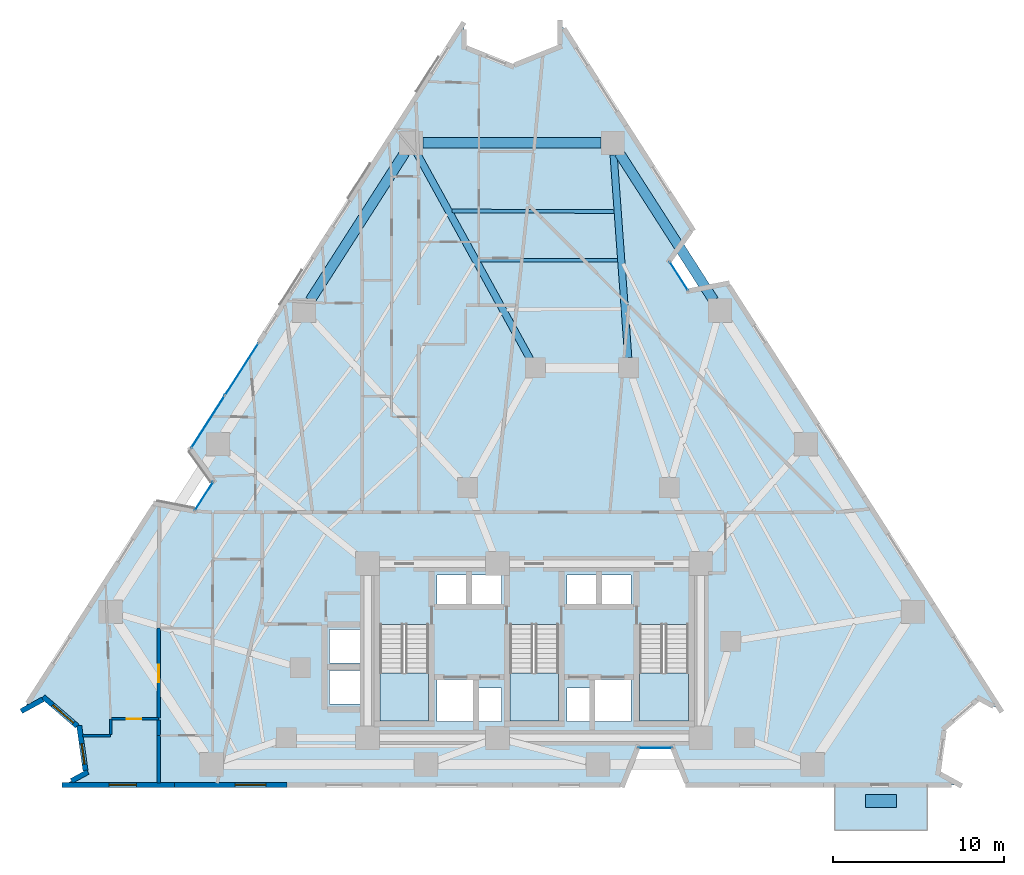
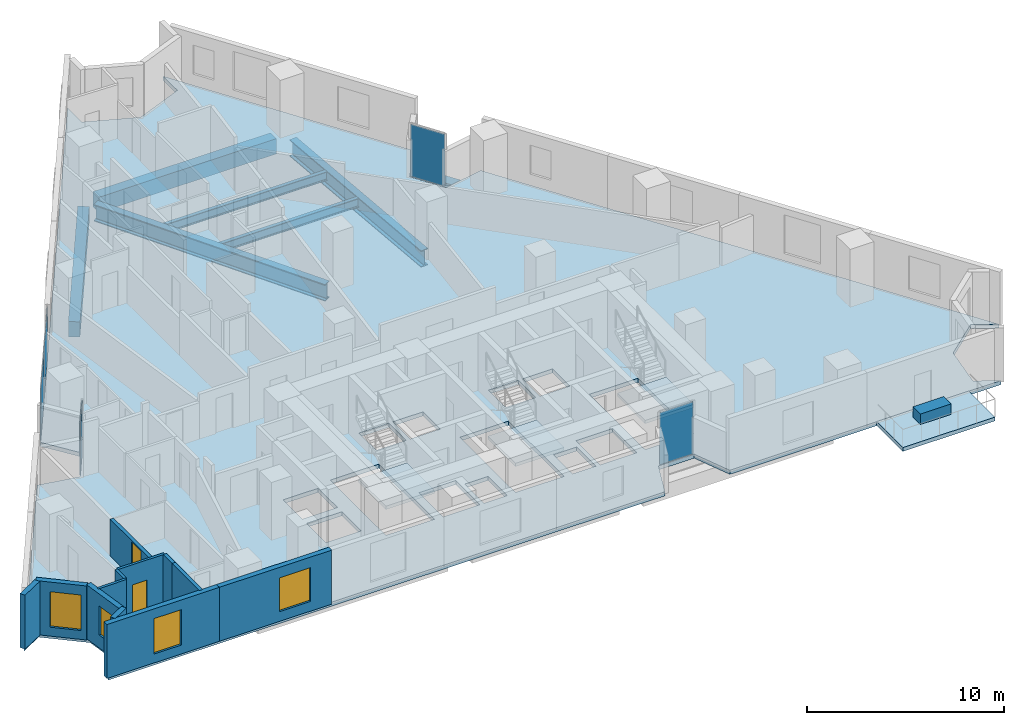
# One storey, part 5 of 13: 12 walls, 7 beams, 6 plates, 5 slabs, 4 windows, 2 doors, 6 openings, 7 elements without a shape of their own.
"""IFC4 building model written with IfcOpenShell, lengths in metres."""

import ifcopenshell
import ifcopenshell.guid

model = None  # the IFC model being written
_history = None  # IfcOwnerHistory: only IFC2X3 demands one
_inside = {}  # id of a spatial element -> (the spatial element, [elements in it])
_under = {}  # id of a project, library or spatial element -> (it, [spatial elements below it])
_declared = {}  # id of a project -> (the project, [libraries it declares])
_typed = {}  # id of a type object -> (the type object, [elements of that type])
_made_of = {}  # id of a material, layer set ... -> (it, [elements and type objects made of it])


def new_model(schema):
    """Start an empty IFC model of exactly this schema.

    Asked for "IFC4X3", IfcOpenShell would pick the latest addendum, in which some entities
    have other attributes; the version numbers below select the first issue.
    IFC2X3 requires an IfcOwnerHistory on every rooted entity: one is made here for all.
    """
    global model, _history
    if schema == "IFC4X3":
        model = ifcopenshell.file(schema_version=(4, 3, 0, 0))
    else:
        model = ifcopenshell.file(schema=schema)
    _inside.clear()
    _under.clear()
    _declared.clear()
    _typed.clear()
    _made_of.clear()
    _history = None
    if model.schema == "IFC2X3":
        org = make("IfcOrganization", Name="unknown")
        user = make(
            "IfcPersonAndOrganization",
            ThePerson=make("IfcPerson", FamilyName="unknown"),
            TheOrganization=org,
        )
        app = make(
            "IfcApplication",
            ApplicationDeveloper=org,
            Version="unknown",
            ApplicationFullName="unknown",
            ApplicationIdentifier="unknown",
        )
        _history = make(
            "IfcOwnerHistory",
            OwningUser=user,
            OwningApplication=app,
            ChangeAction="ADDED",
            CreationDate=0,
        )
    return model


def make(cls, **values):
    """One entity of the class cls with the attributes given. An attribute that is None is left unset."""
    return model.create_entity(
        cls, **{name: value for name, value in values.items() if value is not None}
    )


def rooted(cls, **values):
    """An entity with a GlobalId (a new one), such as an element, a storey or a relation."""
    return make(cls, GlobalId=ifcopenshell.guid.new(), OwnerHistory=_history, **values)


def si_unit(unit_type, name, prefix=None):
    """IfcSIUnit, for example si_unit("LENGTHUNIT", "METRE", prefix="MILLI")."""
    return make("IfcSIUnit", UnitType=unit_type, Prefix=prefix, Name=name)


def assignment(units):
    """IfcUnitAssignment: the units of a project."""
    return None if units is None else make("IfcUnitAssignment", Units=units)


def point(xyz):
    """IfcCartesianPoint."""
    return None if xyz is None else make("IfcCartesianPoint", Coordinates=xyz)


def direction(xyz):
    """IfcDirection."""
    return None if xyz is None else make("IfcDirection", DirectionRatios=xyz)


def frame(location, z_axis=None, x_axis=None):
    """IfcAxis2Placement3D, a coordinate frame: its origin and axes. An axis left out is left unset."""
    return make(
        "IfcAxis2Placement3D",
        Location=point(location),
        Axis=direction(z_axis),
        RefDirection=direction(x_axis),
    )


def frame_2d(location, x_axis=None):
    """IfcAxis2Placement2D, a coordinate frame in the plane: its origin and x axis."""
    return make(
        "IfcAxis2Placement2D", Location=point(location), RefDirection=direction(x_axis)
    )


def origin():
    """The frame at (0, 0, 0) with its axes left unset."""
    return frame((0.0, 0.0, 0.0))


def origin_2d():
    """The frame at (0, 0) in the plane with its x axis left unset."""
    return frame_2d((0.0, 0.0))


def place(relative_to, where):
    """IfcLocalPlacement: puts the frame where relative to a parent placement (None: the world)."""
    return make(
        "IfcLocalPlacement", PlacementRelTo=relative_to, RelativePlacement=where
    )


def context(
    kind, dimensions, precision=None, world=None, true_north=None, identifier=None
):
    """IfcGeometricRepresentationContext, for example the 3D "Model" context."""
    return make(
        "IfcGeometricRepresentationContext",
        ContextIdentifier=identifier,
        ContextType=kind,
        CoordinateSpaceDimension=dimensions,
        Precision=precision,
        WorldCoordinateSystem=world,
        TrueNorth=true_north,
    )


def subcontext(parent, identifier, kind, view, scale=None):
    """IfcGeometricRepresentationSubContext, for example "Body" below "Model"."""
    return make(
        "IfcGeometricRepresentationSubContext",
        ContextIdentifier=identifier,
        ContextType=kind,
        ParentContext=parent,
        TargetScale=scale,
        TargetView=view,
    )


def project(units=None, contexts=None):
    """IfcProject with its units and contexts."""
    return rooted(
        "IfcProject",
        Name="project",
        RepresentationContexts=contexts,
        UnitsInContext=assignment(units),
    )


def spatial(cls, under=None, at=None, **own):
    """A site, building, storey or space (cls), placed at a placement, below another one or the project."""
    s = rooted(cls, ObjectPlacement=at, **own)
    if under is not None:
        _under.setdefault(under.id(), (under, []))[1].append(s)
    return s


def polyline(points):
    """IfcPolyline through the points."""
    return make("IfcPolyline", Points=[point(p) for p in points])


def profile(cls, at=None, kind="AREA", **sizes):
    """A parametric profile (cls). Its sizes go by their IFC names, for example OverallWidth=200.0."""
    return make(cls, ProfileType=kind, Position=at, **sizes)


def rectangle(**sizes):
    """IfcRectangleProfileDef."""
    return profile("IfcRectangleProfileDef", **sizes)


def i_section(**sizes):
    """IfcIShapeProfileDef."""
    return profile("IfcIShapeProfileDef", **sizes)


def outline(outer, holes=None, kind="AREA"):
    """IfcArbitraryClosedProfileDef: a profile drawn as a closed curve; with holes, ...WithVoids."""
    if holes is None:
        return make("IfcArbitraryClosedProfileDef", ProfileType=kind, OuterCurve=outer)
    return make(
        "IfcArbitraryProfileDefWithVoids",
        ProfileType=kind,
        OuterCurve=outer,
        InnerCurves=holes,
    )


def extrude(swept, where, along, depth):
    """IfcExtrudedAreaSolid: the profile swept, set in the frame where, extruded along a direction by depth."""
    return make(
        "IfcExtrudedAreaSolid",
        SweptArea=swept,
        Position=where,
        ExtrudedDirection=direction(along),
        Depth=depth,
    )


def shape(context_of_items, identifier, shape_type, items):
    """IfcShapeRepresentation: the items that make up one representation, for example the "Body"."""
    return make(
        "IfcShapeRepresentation",
        ContextOfItems=context_of_items,
        RepresentationIdentifier=identifier,
        RepresentationType=shape_type,
        Items=items,
    )


def material(Name=None, Category=None):
    """IfcMaterial."""
    return make("IfcMaterial", Name=Name, Category=Category)


def layer(
    of_material, thickness, ventilated=None, Name=None, Category=None, Priority=None
):
    """IfcMaterialLayer: one layer of a wall or slab, of a material (None: an air gap)."""
    return make(
        "IfcMaterialLayer",
        Material=of_material,
        LayerThickness=thickness,
        IsVentilated=ventilated,
        Name=Name,
        Category=Category,
        Priority=Priority,
    )


def layer_set(layers, Name=None):
    """IfcMaterialLayerSet."""
    return make("IfcMaterialLayerSet", MaterialLayers=layers, LayerSetName=Name)


def material_profile(
    of_material, cross_section, Name=None, Category=None, Priority=None
):
    """IfcMaterialProfile: a cross section and its material."""
    return make(
        "IfcMaterialProfile",
        Name=Name,
        Material=of_material,
        Profile=cross_section,
        Priority=Priority,
        Category=Category,
    )


def profile_set(profiles, Name=None, composite=None):
    """IfcMaterialProfileSet."""
    return make(
        "IfcMaterialProfileSet",
        Name=Name,
        MaterialProfiles=profiles,
        CompositeProfile=composite,
    )


def made_of(thing, what):
    """Note that an element or type object is made of a material, layer set ...; save() writes the relation."""
    if what is not None:
        _made_of.setdefault(what.id(), (what, []))[1].append(thing)
    return thing


def type_object(cls, material=None, **own):
    """A type object (cls), such as IfcWallType, which elements share."""
    return made_of(rooted(cls, **own), material)


def element(
    cls,
    number,
    at=None,
    inside=None,
    cuts=None,
    type_object=None,
    material=None,
    context=None,
    identifier="Body",
    shape_type=None,
    held_by="IfcProductDefinitionShape",
    body=None,
    shapes=None,
    **own,
):
    """One element of the class cls, such as IfcWall. Its Tag is "e" and its number.

    at: its placement. inside: the storey or other place that contains it. cuts: it is an
    opening in that element (IfcRelVoidsElement). A single representation is given by context,
    identifier, shape_type and body (its items); several are given by shapes. held_by: the class
    of the entity that holds the representations. save() writes the other relations.
    """
    e = rooted(cls, Tag="e%d" % number, ObjectPlacement=at, **own)
    if body is not None:
        shapes = [shape(context, identifier, shape_type, body)]
    if shapes is not None:
        e.Representation = make(held_by, Representations=shapes)
    if inside is not None:
        _inside.setdefault(inside.id(), (inside, []))[1].append(e)
    if cuts is not None:
        rooted(
            "IfcRelVoidsElement", RelatingBuildingElement=cuts, RelatedOpeningElement=e
        )
    if type_object is not None:
        _typed.setdefault(type_object.id(), (type_object, []))[1].append(e)
    return made_of(e, material)


def fill(opening, filler):
    """IfcRelFillsElement: the door or window that sits in an opening."""
    return rooted(
        "IfcRelFillsElement",
        RelatingOpeningElement=opening,
        RelatedBuildingElement=filler,
    )


def aggregate(whole, parts):
    """IfcRelAggregates: a whole, such as a stair, and the parts it consists of."""
    return rooted("IfcRelAggregates", RelatingObject=whole, RelatedObjects=parts)


def save(model, path):
    """Write the relations noted so far, then the file.

    IfcRelAggregates (storeys below a building ...), IfcRelContainedInSpatialStructure (elements
    in a storey), IfcRelDefinesByType, IfcRelAssociatesMaterial and IfcRelDeclares: one each for
    every whole, place, type object, material and project.
    """
    for whole, parts in _under.values():
        aggregate(whole, parts)
    for where, things in _inside.values():
        rooted(
            "IfcRelContainedInSpatialStructure",
            RelatedElements=things,
            RelatingStructure=where,
        )
    for kind, things in _typed.values():
        rooted("IfcRelDefinesByType", RelatedObjects=things, RelatingType=kind)
    for what, things in _made_of.values():
        rooted("IfcRelAssociatesMaterial", RelatedObjects=things, RelatingMaterial=what)
    for by, libraries in _declared.values():
        rooted("IfcRelDeclares", RelatingContext=by, RelatedDefinitions=libraries)
    model.write(path)


model = new_model("IFC4")

# Units and contexts
model_context = context("Model", 3, precision=1e-05, world=origin(), true_north=direction((0.0, 1.0)))
body_context = subcontext(model_context, "Body", "Model", "MODEL_VIEW")
ifc_project = project(units=[si_unit("LENGTHUNIT", "METRE"), si_unit("AREAUNIT", "SQUARE_METRE"), si_unit("VOLUMEUNIT", "CUBIC_METRE"), si_unit("PLANEANGLEUNIT", "RADIAN"), si_unit("MASSUNIT", "GRAM", prefix="KILO")], contexts=[model_context])

# Site, building, storey
site_placement = place(None, origin())
site = spatial("IfcSite", under=ifc_project, at=site_placement, CompositionType="ELEMENT")
building_placement = place(site_placement, origin())
building = spatial("IfcBuilding", under=site, at=building_placement, Name="Almagre Mirador Tower", CompositionType="ELEMENT")
storey_placement = place(building_placement, frame((0.0, 0.0, 42.60009765625)))
storey = spatial("IfcBuildingStorey", under=building, at=storey_placement, Name="L09", CompositionType="ELEMENT", Elevation=42.60009765625)

# Beams
ifc_material_1 = material(Name="Steel ASTM A992 Grade 50", Category="steel")
ifc_material_profile_1 = material_profile(ifc_material_1, i_section(OverallWidth=0.214111328125, OverallDepth=0.549072265625, WebThickness=0.0146484375, FlangeThickness=0.023681640625, FilletRadius=0.01806640625, at=origin_2d()), Name="W21X93")
ifc_profile_set_1 = profile_set([ifc_material_profile_1], Name="Steel ASTM A992 Grade 50")
beam_type_1 = type_object("IfcBeamType", Name="BM-JST-W21X93", PredefinedType="JOIST", material=ifc_profile_set_1)
beam_1_placement = place(storey_placement, frame((41.979248046875, 35.350341796875, -0.524658203125), z_axis=(-0.999991504181, 0.004122082717, 0.0), x_axis=(-0.004122082717, -0.999991504181, 0.0)))
element("IfcBeam", 1, at=beam_1_placement, inside=storey, type_object=beam_type_1, Name="L09 secondary floor joist PC08-PC09.1", PredefinedType="JOIST", context=body_context, shape_type="SweptSolid", body=[
    extrude(i_section(OverallWidth=0.214111328125, OverallDepth=0.549072265625, WebThickness=0.0146484375, FlangeThickness=0.023681640625, FilletRadius=0.01806640625, at=origin_2d()), origin(), (0.0, 0.0, 1.0), 9.476318359375),
])
beam_2_placement = place(storey_placement, frame((42.185302734375, 32.4990234375, -0.524658203125), z_axis=(-0.999999934481, 0.000361990927, 0.0), x_axis=(-0.000361990927, -0.999999934481, 0.0)))
element("IfcBeam", 2, at=beam_2_placement, inside=storey, type_object=beam_type_1, Name="L09 secondary floor joist PC08-PC09.2", PredefinedType="JOIST", context=body_context, shape_type="SweptSolid", body=[
    extrude(i_section(OverallWidth=0.214111328125, OverallDepth=0.549072265625, WebThickness=0.0146484375, FlangeThickness=0.023681640625, FilletRadius=0.01806640625, at=origin_2d()), origin(), (0.0, 0.0, 1.0), 8.09326171875),
])
ifc_material_2 = material(Name="Precast concrete C50/60", Category="concrete")
ifc_material_profile_2 = material_profile(ifc_material_2, rectangle(XDim=0.60009765625, YDim=0.949951171875, at=origin_2d()), Name="RC600X950")
ifc_profile_set_2 = profile_set([ifc_material_profile_2], Name="Precast concrete C50/60")
beam_type_2 = type_object("IfcBeamType", Name="BM-SPN-RC600X950", PredefinedType="SPANDREL", material=ifc_profile_set_2)
beam_3_placement = place(storey_placement, frame((47.80029296875, 30.162353515625, -0.72509765625), z_axis=(-0.539538717329, 0.841960790359, 0.0), x_axis=(-0.841960790359, -0.539538717329, 0.0)))
element("IfcBeam", 3, at=beam_3_placement, inside=storey, type_object=beam_type_2, Name="L09 perimeter spandrel beam PC07-PC08", PredefinedType="SPANDREL", context=body_context, shape_type="SweptSolid", body=[
    extrude(rectangle(XDim=0.60009765625, YDim=0.949951171875, at=origin_2d()), origin(), (0.0, 0.0, 1.0), 10.239501953125),
])
beam_4_placement = place(storey_placement, frame((41.197998046875, 39.373046875, -0.72509765625), z_axis=(-1.0, 0.0, 0.0), x_axis=(0.0, -1.0, 0.0)))
element("IfcBeam", 4, at=beam_4_placement, inside=storey, type_object=beam_type_2, Name="L09 perimeter spandrel beam PC08-PC09", PredefinedType="SPANDREL", context=body_context, shape_type="SweptSolid", body=[
    extrude(rectangle(XDim=0.60009765625, YDim=0.949951171875, at=origin_2d()), origin(), (0.0, 0.0, 1.0), 10.39599609375),
])
beam_5_placement = place(storey_placement, frame((29.724365234375, 38.78369140625, -0.72509765625), z_axis=(-0.539538717329, -0.841960790359, 0.0), x_axis=(0.841960790359, -0.539538717329, 0.0)))
element("IfcBeam", 5, at=beam_5_placement, inside=storey, type_object=beam_type_2, Name="L09 perimeter spandrel beam PC09-PC10", PredefinedType="SPANDREL", context=body_context, shape_type="SweptSolid", body=[
    extrude(rectangle(XDim=0.60009765625, YDim=0.949951171875, at=origin_2d()), origin(), (0.0, 0.0, 1.0), 10.239501953125),
])
ifc_material_3 = material(Name="Steel ASTM A913 Grade 65", Category="steel")
ifc_material_profile_3 = material_profile(ifc_material_3, i_section(OverallWidth=0.4189453125, OverallDepth=1.041015625, WebThickness=0.031005859375, FlangeThickness=0.055908203125, FilletRadius=0.030029296875, at=origin_2d()), Name="W40X397")
ifc_profile_set_3 = profile_set([ifc_material_profile_3], Name="Steel ASTM A913 Grade 65")
beam_type_3 = type_object("IfcBeamType", Name="BM-STL-W40X397", PredefinedType="BEAM", material=ifc_profile_set_3)
beam_6_placement = place(storey_placement, frame((41.948486328125, 38.6748046875, -0.7705078125), z_axis=(0.072089216544, -0.997398187715, 0.0), x_axis=(0.997398187715, 0.072089216544, 0.0)))
element("IfcBeam", 6, at=beam_6_placement, inside=storey, type_object=beam_type_3, Name="L09 radial floor girder PC08-MC6", PredefinedType="BEAM", context=body_context, shape_type="SweptSolid", body=[
    extrude(i_section(OverallWidth=0.4189453125, OverallDepth=1.041015625, WebThickness=0.031005859375, FlangeThickness=0.055908203125, FilletRadius=0.030029296875, at=origin_2d()), origin(), (0.0, 0.0, 1.0), 11.907470703125),
])
beam_7_placement = place(storey_placement, frame((30.439453125, 38.759765625, -0.7705078125), z_axis=(0.482060666066, -0.876137839745, 0.0), x_axis=(0.876137839745, 0.482060666066, 0.0)))
element("IfcBeam", 7, at=beam_7_placement, inside=storey, type_object=beam_type_3, Name="L09 radial floor girder PC09-MC7", PredefinedType="BEAM", context=body_context, shape_type="SweptSolid", body=[
    extrude(i_section(OverallWidth=0.4189453125, OverallDepth=1.041015625, WebThickness=0.031005859375, FlangeThickness=0.055908203125, FilletRadius=0.030029296875, at=origin_2d()), origin(), (0.0, 0.0, 1.0), 13.735595703125),
])

# Curtain wall, plate
ifc_material_4 = material(Name="Black anodized aluminium", Category="aluminium")
ifc_layer_1 = layer(ifc_material_4, 0.169921875)
ifc_layer_set_1 = layer_set([ifc_layer_1], Name="Black anodized aluminium")
curtain_wall_type_1 = type_object("IfcCurtainWallType", Name="CW-CRS-SYS", PredefinedType="NOTDEFINED", material=ifc_layer_set_1)
curtain_wall_1_placement = place(storey_placement, origin())
curtain_wall_1 = element("IfcCurtainWall", 8, at=curtain_wall_1_placement, inside=storey, type_object=curtain_wall_type_1, Name="L09 vertical crease curtain wall 01", PredefinedType="NOTDEFINED")
ifc_material_5 = material(Name="Dark solar-control laminated hurricane glass", Category="glass")
ifc_layer_2 = layer(ifc_material_5, 0.028076171875)
ifc_layer_set_2 = layer_set([ifc_layer_2], Name="Dark solar-control laminated hurricane glass")
plate_type_1 = type_object("IfcPlateType", Name="PLT-GLZ-28", PredefinedType="CURTAIN_PANEL", material=ifc_layer_set_2)
plate_1_placement = place(storey_placement, frame((17.98388671875, 18.700927734375, 0.059814453125), z_axis=(0.0, 0.0, 1.0), x_axis=(0.539596564827, 0.841923718176, 0.0)))
plate_1 = element("IfcPlate", 9, at=plate_1_placement, type_object=plate_type_1, Name="CW-4 panel 1.1", PredefinedType="CURTAIN_PANEL", context=body_context, shape_type="SweptSolid", body=[
    extrude(rectangle(XDim=1.970458984375, YDim=0.028076171875, at=origin_2d()), origin(), (0.0, 0.0, 1.0), 3.22998046875),
])
aggregate(curtain_wall_1, [plate_1])

curtain_wall_2_placement = place(storey_placement, origin())
curtain_wall_2 = element("IfcCurtainWall", 10, at=curtain_wall_2_placement, inside=storey, type_object=curtain_wall_type_1, Name="L09 vertical crease curtain wall 03", PredefinedType="NOTDEFINED")
plate_2_placement = place(storey_placement, frame((45.763427734375, 31.5791015625, 0.059814453125), z_axis=(0.0, 0.0, 1.0), x_axis=(0.539257350873, -0.842141027103, 0.0)))
plate_2 = element("IfcPlate", 11, at=plate_2_placement, type_object=plate_type_1, Name="CW-4 panel 1.1", PredefinedType="CURTAIN_PANEL", context=body_context, shape_type="SweptSolid", body=[
    extrude(rectangle(XDim=1.969970703125, YDim=0.028076171875, at=origin_2d()), origin(), (0.0, 0.0, 1.0), 3.22998046875),
])
aggregate(curtain_wall_2, [plate_2])

curtain_wall_3_placement = place(storey_placement, origin())
curtain_wall_3 = element("IfcCurtainWall", 12, at=curtain_wall_3_placement, inside=storey, type_object=curtain_wall_type_1, Name="L09 vertical crease curtain wall 04", PredefinedType="NOTDEFINED")
plate_3_placement = place(storey_placement, frame((44.384033203125, 3.949951171875, 0.059814453125), z_axis=(0.0, 0.0, 1.0), x_axis=(-1.0, 0.0, 0.0)))
plate_3 = element("IfcPlate", 13, at=plate_3_placement, type_object=plate_type_1, Name="CW-4 panel 1.1", PredefinedType="CURTAIN_PANEL", context=body_context, shape_type="SweptSolid", body=[
    extrude(rectangle(XDim=1.969970703125, YDim=0.028076171875, at=origin_2d()), origin(), (0.0, 0.0, 1.0), 3.22998046875),
])
aggregate(curtain_wall_3, [plate_3])

# Curtain wall, plates
ifc_material_6 = material(Name="Black anodized aluminium", Category="aluminium")
ifc_layer_3 = layer(ifc_material_6, 0.18994140625)
ifc_layer_set_3 = layer_set([ifc_layer_3], Name="Black anodized aluminium")
curtain_wall_type_2 = type_object("IfcCurtainWallType", Name="CW-RES-L-SYS", PredefinedType="NOTDEFINED", material=ifc_layer_set_3)
curtain_wall_4_placement = place(storey_placement, origin())
curtain_wall_4 = element("IfcCurtainWall", 14, at=curtain_wall_4_placement, inside=storey, type_object=curtain_wall_type_2, Name="L09 curtain wall run 02", PredefinedType="NOTDEFINED")
ifc_material_7 = material(Name="Dark solar-control laminated hurricane glass", Category="glass")
ifc_layer_4 = layer(ifc_material_7, 0.031982421875)
ifc_layer_set_4 = layer_set([ifc_layer_4], Name="Dark solar-control laminated hurricane glass")
plate_type_2 = type_object("IfcPlateType", Name="PLT-GLZ-32", PredefinedType="CURTAIN_PANEL", material=ifc_layer_set_4)
plate_4_placement = place(storey_placement, frame((18.20751953125, 23.03466796875, 0.059814453125), z_axis=(0.0, 0.0, 1.0), x_axis=(0.539539092739, 0.841960549792, 0.0)))
plate_4 = element("IfcPlate", 15, at=plate_4_placement, type_object=plate_type_2, Name="CW-2 panel 1.1", PredefinedType="CURTAIN_PANEL", context=body_context, shape_type="SweptSolid", body=[
    extrude(rectangle(XDim=3.608154296875, YDim=0.031982421875, at=origin_2d()), origin(), (0.0, 0.0, 1.0), 3.22998046875),
])
plate_5_placement = place(storey_placement, frame((20.189453125, 26.12744140625, 0.059814453125), z_axis=(0.0, 0.0, 1.0), x_axis=(0.539539092739, 0.841960549792, 0.0)))
plate_5 = element("IfcPlate", 16, at=plate_5_placement, type_object=plate_type_2, Name="CW-2 panel 2.1", PredefinedType="CURTAIN_PANEL", context=body_context, shape_type="SweptSolid", body=[
    extrude(rectangle(XDim=3.608154296875, YDim=0.031982421875, at=origin_2d()), origin(), (0.0, 0.0, 1.0), 3.22998046875),
])
aggregate(curtain_wall_4, [plate_4, plate_5])

# Plate
ifc_material_8 = material(Name="Precast concrete C50/60", Category="concrete")
ifc_layer_5 = layer(ifc_material_8, 0.64990234375)
ifc_layer_set_5 = layer_set([ifc_layer_5], Name="Precast concrete C50/60")
plate_type_3 = type_object("IfcPlateType", Name="PLT-PLANTER-1800", PredefinedType="USERDEFINED", material=ifc_layer_set_5)
plate_6_placement = place(storey_placement, frame((57.60009765625, 0.85009765625, 0.0), z_axis=(0.0, 0.0, 1.0), x_axis=(1.0, 0.0, 0.0)))
element("IfcPlate", 17, at=plate_6_placement, inside=storey, type_object=plate_type_3, Name="L09 south balcony structural tree planter 1", ObjectType="PLANTER", PredefinedType="USERDEFINED", context=body_context, shape_type="SweptSolid", body=[
    extrude(rectangle(XDim=1.800048828125, YDim=0.75, at=origin_2d()), origin(), (0.0, 0.0, 1.0), 0.64990234375),
])

# Slabs
ifc_material_9 = material(Name="Concrete C45/55", Category="concrete")
ifc_layer_6 = layer(ifc_material_9, 0.239990234375)
ifc_layer_set_6 = layer_set([ifc_layer_6], Name="Concrete C45/55")
slab_type_1 = type_object("IfcSlabType", Name="SLB-BAL-240", PredefinedType="USERDEFINED", material=ifc_layer_set_6)
slab_1_placement = place(storey_placement, frame((0.0, 0.0, -0.239990234375)))
element("IfcSlab", 18, at=slab_1_placement, inside=storey, type_object=slab_type_1, Name="L09 south planted tree balcony 1", ObjectType="BALCONY", PredefinedType="USERDEFINED", context=body_context, shape_type="SweptSolid", body=[
    extrude(outline(polyline([(54.89990234375, 1.820068359375), (60.300048828125, 1.820068359375), (60.300048828125, -0.85009765625), (54.89990234375, -0.85009765625), (54.89990234375, 1.820068359375)])), origin(), (0.0, 0.0, 1.0), 0.239990234375),
])
ifc_material_10 = material(Name="Concrete C45/55", Category="concrete")
ifc_layer_7 = layer(ifc_material_10, 0.25)
ifc_layer_set_7 = layer_set([ifc_layer_7], Name="Concrete C45/55")
slab_type_2 = type_object("IfcSlabType", Name="SLB-FLR-250", PredefinedType="FLOOR", material=ifc_layer_set_7)
slab_2_placement = place(storey_placement, frame((0.0, 0.0, -0.25)))
element("IfcSlab", 19, at=slab_2_placement, inside=storey, type_object=slab_type_2, Name="L09 structural floor slab", PredefinedType="FLOOR", context=body_context, shape_type="SweptSolid", body=[
    extrude(outline(polyline([(7.406005859375, 6.177978515625), (8.6689453125, 6.868896484375), (10.69189453125, 5.132080078125), (11.06298828125, 2.490966796875), (9.800048828125, 1.800048828125), (42.48388671875, 1.800048828125), (43.339111328125, 3.949951171875), (45.428955078125, 3.949951171875), (46.283935546875, 1.800048828125), (62.199951171875, 1.800048828125), (60.93701171875, 2.490966796875), (61.30810546875, 5.132080078125), (63.3310546875, 6.868896484375), (64.593994140625, 6.177978515625), (48.59912109375, 31.138916015625), (46.326904296875, 30.698974609375), (45.199951171875, 32.458984375), (46.549072265625, 34.339111328125), (38.805908203125, 46.422119140625), (38.805908203125, 44.98193359375), (36.0, 43.85595703125), (33.194091796875, 44.98193359375), (33.194091796875, 46.422119140625), (17.198974609375, 21.4609375), (18.548095703125, 19.5810546875), (17.419921875, 17.821044921875), (15.14892578125, 18.260986328125), (7.406005859375, 6.177978515625)]), holes=[polyline([(43.47509765625, 11.196044921875), (46.324951171875, 11.196044921875), (46.324951171875, 5.550048828125), (43.47509765625, 5.550048828125), (43.47509765625, 11.196044921875)]), polyline([(40.820068359375, 5.52001953125), (40.820068359375, 7.97998046875), (42.97998046875, 7.97998046875), (42.97998046875, 5.52001953125), (40.820068359375, 5.52001953125)]), polyline([(41.219970703125, 12.320068359375), (41.219970703125, 14.080078125), (42.97998046875, 14.080078125), (42.97998046875, 12.320068359375), (41.219970703125, 12.320068359375)]), polyline([(39.219970703125, 12.320068359375), (39.219970703125, 14.080078125), (40.97998046875, 14.080078125), (40.97998046875, 12.320068359375), (39.219970703125, 12.320068359375)]), polyline([(39.219970703125, 5.52001953125), (39.219970703125, 7.47998046875), (40.580078125, 7.47998046875), (40.580078125, 5.52001953125), (39.219970703125, 5.52001953125)]), polyline([(35.875, 11.196044921875), (38.72509765625, 11.196044921875), (38.72509765625, 5.550048828125), (35.875, 5.550048828125), (35.875, 11.196044921875)]), polyline([(35.3798828125, 5.52001953125), (34.02001953125, 5.52001953125), (34.02001953125, 7.47998046875), (35.3798828125, 7.47998046875), (35.3798828125, 5.52001953125)]), polyline([(35.3798828125, 12.320068359375), (33.6201171875, 12.320068359375), (33.6201171875, 14.080078125), (35.3798828125, 14.080078125), (35.3798828125, 12.320068359375)]), polyline([(31.6201171875, 5.52001953125), (31.6201171875, 7.97998046875), (33.780029296875, 7.97998046875), (33.780029296875, 5.52001953125), (31.6201171875, 5.52001953125)]), polyline([(31.6201171875, 12.320068359375), (31.6201171875, 14.080078125), (33.3798828125, 14.080078125), (33.3798828125, 12.320068359375), (31.6201171875, 12.320068359375)]), polyline([(28.27490234375, 5.550048828125), (28.27490234375, 11.196044921875), (31.125, 11.196044921875), (31.125, 5.550048828125), (28.27490234375, 5.550048828125)]), polyline([(25.320068359375, 6.52001953125), (25.320068359375, 8.47998046875), (27.3798828125, 8.47998046875), (27.3798828125, 6.52001953125), (25.320068359375, 6.52001953125)]), polyline([(25.320068359375, 8.919921875), (25.320068359375, 10.8798828125), (27.3798828125, 10.8798828125), (27.3798828125, 8.919921875), (25.320068359375, 8.919921875)])]), origin(), (0.0, 0.0, 1.0), 0.25),
])

# Stair, slab
ifc_material_11 = material(Name="Concrete C45/55", Category="concrete")
stair_type = type_object("IfcStairType", Name="STR-DL-3600", PredefinedType="HALF_TURN_STAIR", material=ifc_material_11)
stair_1_placement = place(storey_placement, origin())
stair_1 = element("IfcStair", 20, at=stair_1_placement, inside=storey, type_object=stair_type, Name="L09 Protected exit stair ST-1", PredefinedType="HALF_TURN_STAIR")
ifc_material_12 = material(Name="Concrete C45/55", Category="concrete")
ifc_layer_8 = layer(ifc_material_12, 0.199951171875)
ifc_layer_set_8 = layer_set([ifc_layer_8], Name="Concrete C45/55")
slab_type_3 = type_object("IfcSlabType", Name="SLB-LND-200", PredefinedType="LANDING", material=ifc_layer_set_8)
slab_3_placement = place(storey_placement, frame((0.0, 0.0, 1.599853515625)))
slab_3 = element("IfcSlab", 21, at=slab_3_placement, type_object=slab_type_3, Name="ST-1 landing 1", PredefinedType="LANDING", context=body_context, shape_type="SweptSolid", body=[
    extrude(outline(polyline([(28.27490234375, 8.35009765625), (28.27490234375, 5.550048828125), (31.125, 5.550048828125), (31.125, 8.35009765625), (28.27490234375, 8.35009765625)])), origin(), (0.0, 0.0, 1.0), 0.199951171875),
])
aggregate(stair_1, [slab_3])

stair_2_placement = place(storey_placement, origin())
stair_2 = element("IfcStair", 22, at=stair_2_placement, inside=storey, type_object=stair_type, Name="L09 Protected exit stair ST-2", PredefinedType="HALF_TURN_STAIR")
slab_4_placement = place(storey_placement, frame((0.0, 0.0, 1.599853515625)))
slab_4 = element("IfcSlab", 23, at=slab_4_placement, type_object=slab_type_3, Name="ST-2 landing 1", PredefinedType="LANDING", context=body_context, shape_type="SweptSolid", body=[
    extrude(outline(polyline([(35.875, 8.35009765625), (35.875, 5.550048828125), (38.72509765625, 5.550048828125), (38.72509765625, 8.35009765625), (35.875, 8.35009765625)])), origin(), (0.0, 0.0, 1.0), 0.199951171875),
])
aggregate(stair_2, [slab_4])

stair_3_placement = place(storey_placement, origin())
stair_3 = element("IfcStair", 24, at=stair_3_placement, inside=storey, type_object=stair_type, Name="L09 Protected exit stair ST-3", PredefinedType="HALF_TURN_STAIR")
slab_5_placement = place(storey_placement, frame((0.0, 0.0, 1.599853515625)))
slab_5 = element("IfcSlab", 25, at=slab_5_placement, type_object=slab_type_3, Name="ST-3 landing 1", PredefinedType="LANDING", context=body_context, shape_type="SweptSolid", body=[
    extrude(outline(polyline([(43.47509765625, 8.35009765625), (43.47509765625, 5.550048828125), (46.324951171875, 5.550048828125), (46.324951171875, 8.35009765625), (43.47509765625, 8.35009765625)])), origin(), (0.0, 0.0, 1.0), 0.199951171875),
])
aggregate(stair_3, [slab_5])

# Wall, opening, window
ifc_material_13 = material(Name="Precast concrete C50/60", Category="concrete")
ifc_layer_9 = layer(ifc_material_13, 0.300048828125)
ifc_layer_set_9 = layer_set([ifc_layer_9], Name="Precast concrete C50/60")
wall_type_1 = type_object("IfcWallType", Name="WAL-EXT-300", PredefinedType="SOLIDWALL", material=ifc_layer_set_9)
wall_1_placement = place(storey_placement, frame((22.845703125, 1.800048828125, 0.0), z_axis=(0.0, 0.0, 1.0), x_axis=(-1.0, 0.0, 0.0)))
wall_1 = element("IfcWall", 26, at=wall_1_placement, inside=storey, type_object=wall_type_1, Name="L09 expressed almagre precast frame wall 29", PredefinedType="SOLIDWALL", context=body_context, shape_type="SweptSolid", body=[
    extrude(rectangle(XDim=6.593017578125, YDim=0.300048828125, at=frame_2d((3.29638671875, 0.0))), origin(), (0.0, 0.0, 1.0), 3.349853515625),
])
opening_1_placement = place(wall_1_placement, frame((1.25, 0.0, 0.60009765625)))
opening_1 = element("IfcOpeningElement", 27, at=opening_1_placement, cuts=wall_1, Name="Opening WN-01", PredefinedType="OPENING", context=body_context, shape_type="SweptSolid", body=[
    extrude(rectangle(XDim=1.800048828125, YDim=2.10009765625, at=frame_2d((0.89990234375, 1.050048828125))), frame((0.0, 0.159902, 0.0), z_axis=(0.0, -1.0, 0.0), x_axis=(1.0, 0.0, 0.0)), (0.0, 0.0, 1.0), 0.320049),
])
ifc_material_14 = material(Name="Dark solar-control laminated hurricane glass", Category="glass")
window_type_1 = type_object("IfcWindowType", Name="WIN-1800X2100", PartitioningType="DOUBLE_PANEL_VERTICAL", PredefinedType="WINDOW", material=ifc_material_14)
window_1_placement = place(opening_1_placement, origin())
window_1 = element("IfcWindow", 28, at=window_1_placement, inside=storey, type_object=window_type_1, Name="L09 recessed hurricane window L09-RST-B", OverallHeight=2.10009765625, OverallWidth=1.800048828125, PartitioningType="SINGLE_PANEL", PredefinedType="WINDOW", context=body_context, shape_type="SweptSolid", body=[
    extrude(rectangle(XDim=1.800048828125, YDim=2.10009765625, at=frame_2d((0.89990234375, 1.050048828125))), frame((0.0, 0.030029296875, 0.0), z_axis=(0.0, -1.0, 0.0), x_axis=(1.0, 0.0, 0.0)), (0.0, 0.0, 1.0), 0.06005859375),
])
fill(opening_1, window_1)

wall_2_placement = place(storey_placement, frame((16.252685546875, 1.800048828125, 0.0), z_axis=(0.0, 0.0, 1.0), x_axis=(-1.0, 0.0, 0.0)))
wall_2 = element("IfcWall", 29, at=wall_2_placement, inside=storey, type_object=wall_type_1, Name="L09 expressed almagre precast frame wall 30", PredefinedType="SOLIDWALL", context=body_context, shape_type="SweptSolid", body=[
    extrude(rectangle(XDim=6.5927734375, YDim=0.300048828125, at=frame_2d((3.29638671875, 0.0))), origin(), (0.0, 0.0, 1.0), 3.349853515625),
])
opening_2_placement = place(wall_2_placement, frame((2.22509765625, 0.0, 0.550048828125)))
opening_2 = element("IfcOpeningElement", 30, at=opening_2_placement, cuts=wall_2, Name="Opening WN-06", PredefinedType="OPENING", context=body_context, shape_type="SweptSolid", body=[
    extrude(rectangle(XDim=1.60009765625, YDim=2.199951171875, at=frame_2d((0.800048828125, 1.10009765625))), frame((0.0, 0.159902, 0.0), z_axis=(0.0, -1.0, 0.0), x_axis=(1.0, 0.0, 0.0)), (0.0, 0.0, 1.0), 0.320049),
])
ifc_material_15 = material(Name="Dark solar-control laminated hurricane glass", Category="glass")
window_type_2 = type_object("IfcWindowType", Name="WIN-1600X2200", PartitioningType="DOUBLE_PANEL_VERTICAL", PredefinedType="WINDOW", material=ifc_material_15)
window_2_placement = place(opening_2_placement, origin())
window_2 = element("IfcWindow", 31, at=window_2_placement, inside=storey, type_object=window_type_2, Name="L09 recessed hurricane window L09-UA-BT", OverallHeight=2.199951171875, OverallWidth=1.60009765625, PartitioningType="SINGLE_PANEL", PredefinedType="WINDOW", context=body_context, shape_type="SweptSolid", body=[
    extrude(rectangle(XDim=1.60009765625, YDim=2.199951171875, at=frame_2d((0.800048828125, 1.10009765625))), frame((0.0, 0.030029296875, 0.0), z_axis=(0.0, -1.0, 0.0), x_axis=(1.0, 0.0, 0.0)), (0.0, 0.0, 1.0), 0.06005859375),
])
fill(opening_2, window_2)

# Wall
wall_3_placement = place(storey_placement, frame((10.22119140625, 2.030517578125, 0.0), z_axis=(0.0, 0.0, 1.0), x_axis=(0.877343386297, 0.479863087266, 0.0)))
element("IfcWall", 32, at=wall_3_placement, inside=storey, type_object=wall_type_1, Name="L09 expressed almagre precast frame wall 31", PredefinedType="SOLIDWALL", context=body_context, shape_type="SweptSolid", body=[
    extrude(rectangle(XDim=1.099365234375, YDim=0.300048828125, at=frame_2d((0.5498046875, 0.0))), origin(), (0.0, 0.0, 1.0), 3.349853515625),
])

# Wall, opening, window
wall_4_placement = place(storey_placement, frame((11.044189453125, 2.624755859375, 0.0), z_axis=(0.0, 0.0, 1.0), x_axis=(-0.139079814349, 0.990281174839, 0.0)))
wall_4 = element("IfcWall", 33, at=wall_4_placement, inside=storey, type_object=wall_type_1, Name="L09 expressed almagre precast frame wall 32", PredefinedType="SOLIDWALL", context=body_context, shape_type="SweptSolid", body=[
    extrude(rectangle(XDim=2.671630859375, YDim=0.300048828125, at=frame_2d((1.3359375, 0.0))), origin(), (0.0, 0.0, 1.0), 3.349853515625),
])
opening_3_placement = place(wall_4_placement, frame((0.39990234375, 0.0, 0.800048828125)))
opening_3 = element("IfcOpeningElement", 34, at=opening_3_placement, cuts=wall_4, Name="Opening WN-04", PredefinedType="OPENING", context=body_context, shape_type="SweptSolid", body=[
    extrude(rectangle(XDim=1.199951171875, YDim=1.800048828125, at=frame_2d((0.60009765625, 0.89990234375))), frame((0.0, 0.159902, 0.0), z_axis=(0.0, -1.0, 0.0), x_axis=(1.0, 0.0, 0.0)), (0.0, 0.0, 1.0), 0.320049),
])
ifc_material_16 = material(Name="Dark solar-control laminated hurricane glass", Category="glass")
window_type_3 = type_object("IfcWindowType", Name="WIN-1200X1800", PartitioningType="SINGLE_PANEL", PredefinedType="WINDOW", material=ifc_material_16)
window_3_placement = place(opening_3_placement, origin())
window_3 = element("IfcWindow", 35, at=window_3_placement, inside=storey, type_object=window_type_3, Name="L09 recessed hurricane window L09-UA-BT", OverallHeight=1.800048828125, OverallWidth=1.199951171875, PartitioningType="SINGLE_PANEL", PredefinedType="WINDOW", context=body_context, shape_type="SweptSolid", body=[
    extrude(rectangle(XDim=1.199951171875, YDim=1.800048828125, at=frame_2d((0.60009765625, 0.89990234375))), frame((0.0, 0.030029296875, 0.0), z_axis=(0.0, -1.0, 0.0), x_axis=(1.0, 0.0, 0.0)), (0.0, 0.0, 1.0), 0.06005859375),
])
fill(opening_3, window_3)

wall_5_placement = place(storey_placement, frame((10.574462890625, 5.23291015625, 0.0), z_axis=(0.0, 0.0, 1.0), x_axis=(-0.758703874518, 0.651435668958, 0.0)))
wall_5 = element("IfcWall", 36, at=wall_5_placement, inside=storey, type_object=wall_type_1, Name="L09 expressed almagre precast frame wall 33", PredefinedType="SOLIDWALL", context=body_context, shape_type="SweptSolid", body=[
    extrude(rectangle(XDim=2.651611328125, YDim=0.300048828125, at=frame_2d((1.32568359375, 0.0))), origin(), (0.0, 0.0, 1.0), 3.349853515625),
])
opening_4_placement = place(wall_5_placement, frame((0.304931640625, 0.0, 0.550048828125)))
opening_4 = element("IfcOpeningElement", 37, at=opening_4_placement, cuts=wall_5, Name="Opening WN-06", PredefinedType="OPENING", context=body_context, shape_type="SweptSolid", body=[
    extrude(rectangle(XDim=1.60009765625, YDim=2.199951171875, at=frame_2d((0.800048828125, 1.10009765625))), frame((0.0, 0.159902, 0.0), z_axis=(0.0, -1.0, 0.0), x_axis=(1.0, 0.0, 0.0)), (0.0, 0.0, 1.0), 0.320049),
])
window_4_placement = place(opening_4_placement, origin())
window_4 = element("IfcWindow", 38, at=window_4_placement, inside=storey, type_object=window_type_2, Name="L09 recessed hurricane window L09-UA-KT", OverallHeight=2.199951171875, OverallWidth=1.60009765625, PartitioningType="SINGLE_PANEL", PredefinedType="WINDOW", context=body_context, shape_type="SweptSolid", body=[
    extrude(rectangle(XDim=1.60009765625, YDim=2.199951171875, at=frame_2d((0.800048828125, 1.10009765625))), frame((0.0, 0.030029296875, 0.0), z_axis=(0.0, -1.0, 0.0), x_axis=(1.0, 0.0, 0.0)), (0.0, 0.0, 1.0), 0.06005859375),
])
fill(opening_4, window_4)

# Wall
wall_6_placement = place(storey_placement, frame((8.546142578125, 6.8017578125, 0.0), z_axis=(0.0, 0.0, 1.0), x_axis=(-0.877298620335, -0.479944924714, 0.0)))
element("IfcWall", 39, at=wall_6_placement, inside=storey, type_object=wall_type_1, Name="L09 expressed almagre precast frame wall 34", PredefinedType="SOLIDWALL", context=body_context, shape_type="SweptSolid", body=[
    extrude(rectangle(XDim=1.439697265625, YDim=0.300048828125, at=frame_2d((0.7197265625, 0.0))), origin(), (0.0, 0.0, 1.0), 3.349853515625),
])

# Wall, opening, door
ifc_material_17 = material(Name="Gypsum acoustic stud partition", Category="other")
ifc_layer_10 = layer(ifc_material_17, 0.14990234375)
ifc_layer_set_10 = layer_set([ifc_layer_10], Name="Gypsum acoustic stud partition")
wall_type_2 = type_object("IfcWallType", Name="WAL-PRT-150-STD", PredefinedType="PARTITIONING", material=ifc_layer_set_10)
wall_7_placement = place(storey_placement, frame((12.5673828125, 5.659912109375, 0.0), z_axis=(0.0, 0.0, 1.0), x_axis=(1.0, 0.0, 0.0)))
wall_7 = element("IfcWall", 40, at=wall_7_placement, inside=storey, type_object=wall_type_2, Name="L09 interior partition 016", PredefinedType="PARTITIONING", context=body_context, shape_type="SweptSolid", body=[
    extrude(rectangle(XDim=2.7626953125, YDim=0.14990234375, at=frame_2d((1.38134765625, 0.0))), origin(), (0.0, 0.0, 1.0), 3.349853515625),
])
opening_5_placement = place(wall_7_placement, frame((0.87646484375, 0.0, 0.0)))
opening_5 = element("IfcOpeningElement", 41, at=opening_5_placement, cuts=wall_7, Name="Opening UD-04", PredefinedType="OPENING", context=body_context, shape_type="SweptSolid", body=[
    extrude(rectangle(XDim=0.85009765625, YDim=2.10009765625, at=frame_2d((0.425048828125, 1.050048828125))), frame((0.0, 0.084951, 0.0), z_axis=(0.0, -1.0, 0.0), x_axis=(1.0, 0.0, 0.0)), (0.0, 0.0, 1.0), 0.169902),
])
ifc_material_18 = material(Name="Moisture-resistant oak timber", Category="wood")
door_type_1 = type_object("IfcDoorType", Name="DOR-UNR-850X2100", OperationType="NOTDEFINED", PredefinedType="DOOR", material=ifc_material_18)
door_1_placement = place(opening_5_placement, origin())
door_1 = element("IfcDoor", 42, at=door_1_placement, inside=storey, type_object=door_type_1, Name="DR-0282 L09 interior door L09-UA-ST to L09-UA-BT", OperationType="SINGLE_SWING_LEFT", OverallHeight=2.10009765625, OverallWidth=0.85009765625, PredefinedType="DOOR", context=body_context, shape_type="SweptSolid", body=[
    extrude(rectangle(XDim=0.85009765625, YDim=2.10009765625, at=frame_2d((0.425048828125, 1.050048828125))), frame((0.0, 0.02490234375, 0.0), z_axis=(0.0, -1.0, 0.0), x_axis=(1.0, 0.0, 0.0)), (0.0, 0.0, 1.0), 0.050048828125),
])
fill(opening_5, door_1)

# Walls
wall_8_placement = place(storey_placement, frame((10.85693359375, 4.6669921875, 0.0), z_axis=(0.0, 0.0, 1.0), x_axis=(0.999904804939, 0.013797864308, 0.0)))
element("IfcWall", 43, at=wall_8_placement, inside=storey, type_object=wall_type_2, Name="L09 interior partition 019", PredefinedType="PARTITIONING", context=body_context, shape_type="SweptSolid", body=[
    extrude(rectangle(XDim=1.663330078125, YDim=0.14990234375, at=frame_2d((0.83154296875, 0.0))), origin(), (0.0, 0.0, 1.0), 3.349853515625),
])
wall_9_placement = place(storey_placement, frame((12.52001953125, 4.75, 0.0), z_axis=(0.0, 0.0, 1.0), x_axis=(0.0, 1.0, 0.0)))
element("IfcWall", 44, at=wall_9_placement, inside=storey, type_object=wall_type_2, Name="L09 interior partition 020", PredefinedType="PARTITIONING", context=body_context, shape_type="SweptSolid", body=[
    extrude(rectangle(XDim=0.8974609375, YDim=0.14990234375, at=frame_2d((0.44873046875, 0.0))), origin(), (0.0, 0.0, 1.0), 3.349853515625),
])

# Wall, opening, door
ifc_material_19 = material(Name="Gypsum acoustic stud partition", Category="other")
ifc_layer_11 = layer(ifc_material_19, 0.199951171875)
ifc_layer_set_11 = layer_set([ifc_layer_11], Name="Gypsum acoustic stud partition")
wall_type_3 = type_object("IfcWallType", Name="WAL-PRT-200-EI60", PredefinedType="PARTITIONING", material=ifc_layer_set_11)
wall_10_placement = place(storey_placement, frame((15.330078125, 5.719970703125, 0.0), z_axis=(0.0, 0.0, 1.0), x_axis=(0.0, 1.0, 0.0)))
wall_10 = element("IfcWall", 45, at=wall_10_placement, inside=storey, type_object=wall_type_3, Name="L09 interior partition 018", PredefinedType="PARTITIONING", context=body_context, shape_type="SweptSolid", body=[
    extrude(rectangle(XDim=5.260009765625, YDim=0.199951171875, at=frame_2d((2.6298828125, 0.0))), origin(), (0.0, 0.0, 1.0), 2.27880859375),
])
opening_6_placement = place(wall_10_placement, frame((2.10009765625, 0.0, 0.0)))
opening_6 = element("IfcOpeningElement", 46, at=opening_6_placement, cuts=wall_10, Name="Opening ID-01", PredefinedType="OPENING", context=body_context, shape_type="SweptSolid", body=[
    extrude(rectangle(XDim=1.0, YDim=2.199951171875, at=frame_2d((0.5, 1.10009765625))), frame((0.0, 0.110098, 0.0), z_axis=(0.0, -1.0, 0.0), x_axis=(1.0, 0.0, 0.0)), (0.0, 0.0, 1.0), 0.219951),
])
ifc_material_20 = material(Name="Fire-rated walnut timber", Category="wood")
door_type_2 = type_object("IfcDoorType", Name="DOR-FD60-1000X2200", OperationType="NOTDEFINED", PredefinedType="DOOR", material=ifc_material_20)
door_2_placement = place(opening_6_placement, origin())
door_2 = element("IfcDoor", 47, at=door_2_placement, inside=storey, type_object=door_type_2, Name="DR-0304 L09 interior door L09-UA-ST to L09-UD-B2", OperationType="SINGLE_SWING_RIGHT", OverallHeight=2.199951171875, OverallWidth=1.0, PredefinedType="DOOR", context=body_context, shape_type="SweptSolid", body=[
    extrude(rectangle(XDim=1.0, YDim=2.199951171875, at=frame_2d((0.5, 1.10009765625))), frame((0.0, 0.02490234375, 0.0), z_axis=(0.0, -1.0, 0.0), x_axis=(1.0, 0.0, 0.0)), (0.0, 0.0, 1.0), 0.050048828125),
])
fill(opening_6, door_2)

# Walls
wall_11_placement = place(storey_placement, frame((15.330078125, 1.89990234375, 0.0), z_axis=(0.0, 0.0, 1.0), x_axis=(0.0, 1.0, 0.0)))
element("IfcWall", 48, at=wall_11_placement, inside=storey, type_object=wall_type_3, Name="L09 interior partition 021", PredefinedType="PARTITIONING", context=body_context, shape_type="SweptSolid", body=[
    extrude(rectangle(XDim=2.7900390625, YDim=0.199951171875, at=frame_2d((1.39501953125, 0.0))), origin(), (0.0, 0.0, 1.0), 3.349853515625),
])
wall_12_placement = place(storey_placement, frame((15.330078125, 4.68994140625, 0.0), z_axis=(0.0, 0.0, 1.0), x_axis=(0.0, 1.0, 0.0)))
element("IfcWall", 49, at=wall_12_placement, inside=storey, type_object=wall_type_3, Name="L09 interior partition 022", PredefinedType="PARTITIONING", context=body_context, shape_type="SweptSolid", body=[
    extrude(rectangle(XDim=0.91015625, YDim=0.199951171875, at=frame_2d((0.455078125, 0.0))), origin(), (0.0, 0.0, 1.0), 3.349853515625),
])

save(model, "model.ifc")
